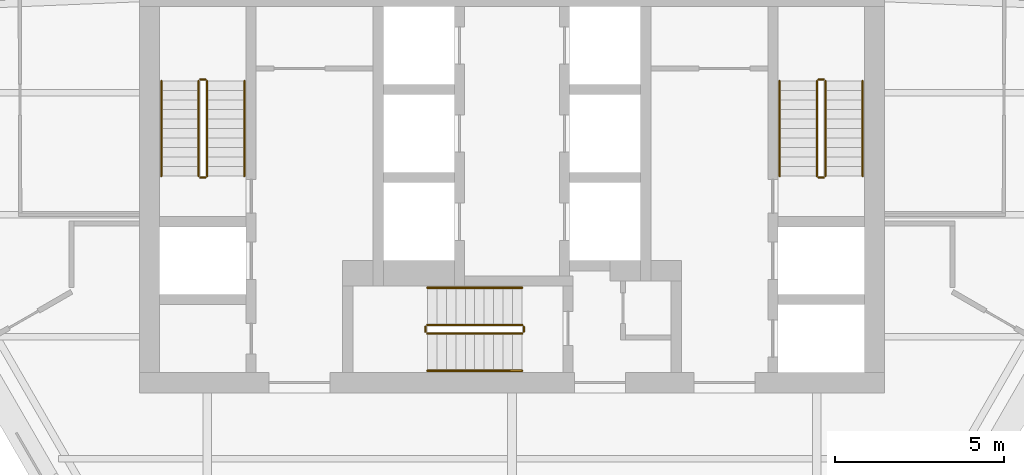
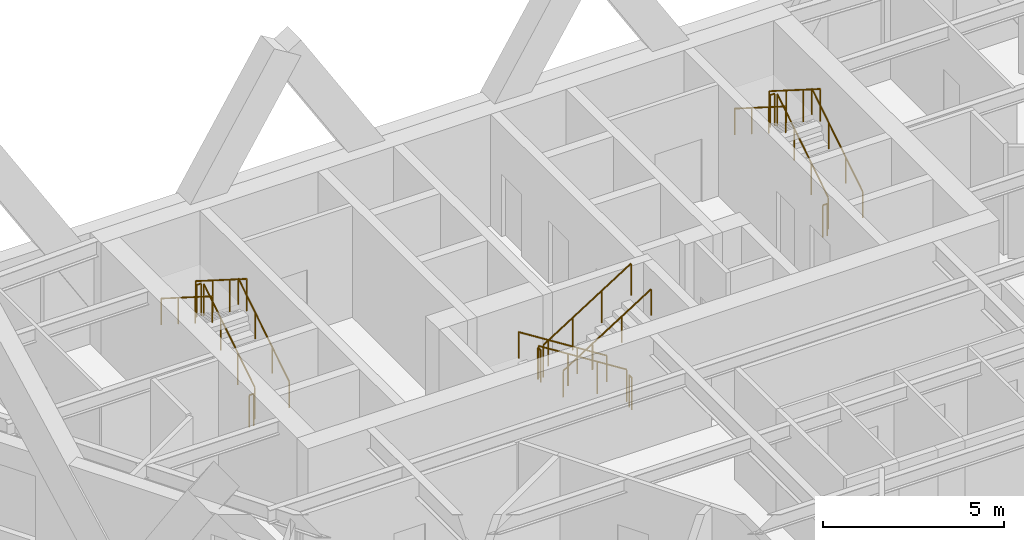
# One storey, part 6 of 6: 18 railings.
"""IFC4 building model written with IfcOpenShell, lengths in metres."""

from ifc_helpers import new_model, si_unit, direction, frame, origin, origin_2d, place, context, subcontext, project, spatial, circle, extrude, material, type_object, element, save


model = new_model("IFC4")

# Units and contexts
model_context = context("Model", 3, precision=1e-05, world=origin(), true_north=direction((0.0, 1.0)))
body_context = subcontext(model_context, "Body", "Model", "MODEL_VIEW")
ifc_project = project(units=[si_unit("LENGTHUNIT", "METRE"), si_unit("AREAUNIT", "SQUARE_METRE"), si_unit("VOLUMEUNIT", "CUBIC_METRE"), si_unit("PLANEANGLEUNIT", "RADIAN"), si_unit("MASSUNIT", "GRAM", prefix="KILO")], contexts=[model_context])

# Site, building, storey
site_placement = place(None, origin())
site = spatial("IfcSite", under=ifc_project, at=site_placement, CompositionType="ELEMENT")
building_placement = place(site_placement, origin())
building = spatial("IfcBuilding", under=site, at=building_placement, Name="Aloe Facet Convention Tower", CompositionType="ELEMENT")
storey_placement = place(building_placement, frame((0.0, 0.0, 180.199951171875)))
storey = spatial("IfcBuildingStorey", under=building, at=storey_placement, Name="L45", CompositionType="ELEMENT", Elevation=180.199951171875)

# Railings
ifc_material_1 = material(Name="Steel S355 balustrade", Category="steel")
railing_type_1 = type_object("IfcRailingType", Name="CR-RL-GUARD", PredefinedType="GUARDRAIL", material=ifc_material_1)
railing_1_placement = place(storey_placement, frame((71.0, 128.949951171875, 0.17724609375)))
element("IfcRailing", 1, at=railing_1_placement, inside=storey, type_object=railing_type_1, Name="L45 ST1 stair guard 1", PredefinedType="GUARDRAIL", context=body_context, shape_type="SweptSolid", body=[
    extrude(circle(Radius=0.02392578125, at=origin_2d()), frame((0.0, 0.0, 1.076171875), z_axis=(0.0, 0.844908973607, 0.534910110503), x_axis=(-1.0, 0.0, 0.0)), (0.0, 0.0, 1.0), 3.31396484375),
    extrude(circle(Radius=0.02099609375, at=origin_2d()), origin(), (0.0, 0.0, 1.0), 1.052001953125),
    extrude(circle(Radius=0.02099609375, at=origin_2d()), frame((0.0, 0.933349609375, 0.5908203125)), (0.0, 0.0, 1.0), 1.052001953125),
    extrude(circle(Radius=0.02099609375, at=origin_2d()), frame((0.0, 1.86669921875, 1.181884765625)), (0.0, 0.0, 1.0), 1.052001953125),
    extrude(circle(Radius=0.02099609375, at=origin_2d()), frame((0.0, 2.800048828125, 1.772705078125)), (0.0, 0.0, 1.0), 1.052001953125),
])
railing_2_placement = place(storey_placement, frame((70.949951171875, 131.800048828125, 1.949951171875)))
element("IfcRailing", 2, at=railing_2_placement, inside=storey, type_object=railing_type_1, Name="L45 ST1 stair guard 2", PredefinedType="GUARDRAIL", context=body_context, shape_type="SweptSolid", body=[
    extrude(circle(Radius=0.02392578125, at=origin_2d()), frame((0.0, 0.0, 1.076171875), z_axis=(-1.0, 0.0, 0.0), x_axis=(0.0, -1.0, 0.0)), (0.0, 0.0, 1.0), 0.14990234375),
    extrude(circle(Radius=0.02099609375, at=origin_2d()), origin(), (0.0, 0.0, 1.0), 1.052001953125),
    extrude(circle(Radius=0.02099609375, at=origin_2d()), frame((-0.14990234375, 0.0, 0.0)), (0.0, 0.0, 1.0), 1.052001953125),
])
railing_3_placement = place(storey_placement, frame((70.75, 131.75, 2.12744140625)))
element("IfcRailing", 3, at=railing_3_placement, inside=storey, type_object=railing_type_1, Name="L45 ST1 stair guard 3", PredefinedType="GUARDRAIL", context=body_context, shape_type="SweptSolid", body=[
    extrude(circle(Radius=0.02392578125, at=origin_2d()), frame((0.0, 0.0, 1.076171875), z_axis=(0.0, -0.844908973607, 0.534910110503), x_axis=(1.0, 0.0, 0.0)), (0.0, 0.0, 1.0), 3.31396484375),
    extrude(circle(Radius=0.02099609375, at=origin_2d()), origin(), (0.0, 0.0, 1.0), 1.052001953125),
    extrude(circle(Radius=0.02099609375, at=origin_2d()), frame((0.0, -0.933349609375, 0.5908203125)), (0.0, 0.0, 1.0), 1.052001953125),
    extrude(circle(Radius=0.02099609375, at=origin_2d()), frame((0.0, -1.86669921875, 1.181884765625)), (0.0, 0.0, 1.0), 1.052001953125),
    extrude(circle(Radius=0.02099609375, at=origin_2d()), frame((0.0, -2.800048828125, 1.772705078125)), (0.0, 0.0, 1.0), 1.052001953125),
])
railing_4_placement = place(storey_placement, frame((70.949951171875, 128.89990234375, 0.0)))
element("IfcRailing", 4, at=railing_4_placement, inside=storey, type_object=railing_type_1, Name="L45 ST1 stair guard 4", PredefinedType="GUARDRAIL", context=body_context, shape_type="SweptSolid", body=[
    extrude(circle(Radius=0.02392578125, at=origin_2d()), frame((0.0, 0.0, 1.076171875), z_axis=(-1.0, 0.0, 0.0), x_axis=(0.0, -1.0, 0.0)), (0.0, 0.0, 1.0), 0.14990234375),
    extrude(circle(Radius=0.02099609375, at=origin_2d()), origin(), (0.0, 0.0, 1.0), 1.052001953125),
    extrude(circle(Radius=0.02099609375, at=origin_2d()), frame((-0.14990234375, 0.0, 0.0)), (0.0, 0.0, 1.0), 1.052001953125),
])
railing_5_placement = place(storey_placement, frame((89.25, 128.949951171875, 0.17724609375)))
element("IfcRailing", 5, at=railing_5_placement, inside=storey, type_object=railing_type_1, Name="L45 ST2 stair guard 1", PredefinedType="GUARDRAIL", context=body_context, shape_type="SweptSolid", body=[
    extrude(circle(Radius=0.02392578125, at=origin_2d()), frame((0.0, 0.0, 1.076171875), z_axis=(0.0, 0.844908973607, 0.534910110503), x_axis=(-1.0, 0.0, 0.0)), (0.0, 0.0, 1.0), 3.31396484375),
    extrude(circle(Radius=0.02099609375, at=origin_2d()), origin(), (0.0, 0.0, 1.0), 1.052001953125),
    extrude(circle(Radius=0.02099609375, at=origin_2d()), frame((0.0, 0.933349609375, 0.5908203125)), (0.0, 0.0, 1.0), 1.052001953125),
    extrude(circle(Radius=0.02099609375, at=origin_2d()), frame((0.0, 1.86669921875, 1.181884765625)), (0.0, 0.0, 1.0), 1.052001953125),
    extrude(circle(Radius=0.02099609375, at=origin_2d()), frame((0.0, 2.800048828125, 1.772705078125)), (0.0, 0.0, 1.0), 1.052001953125),
])
railing_6_placement = place(storey_placement, frame((89.199951171875, 131.800048828125, 1.949951171875)))
element("IfcRailing", 6, at=railing_6_placement, inside=storey, type_object=railing_type_1, Name="L45 ST2 stair guard 2", PredefinedType="GUARDRAIL", context=body_context, shape_type="SweptSolid", body=[
    extrude(circle(Radius=0.02392578125, at=origin_2d()), frame((0.0, 0.0, 1.076171875), z_axis=(-1.0, 0.0, 0.0), x_axis=(0.0, -1.0, 0.0)), (0.0, 0.0, 1.0), 0.14990234375),
    extrude(circle(Radius=0.02099609375, at=origin_2d()), origin(), (0.0, 0.0, 1.0), 1.052001953125),
    extrude(circle(Radius=0.02099609375, at=origin_2d()), frame((-0.14990234375, 0.0, 0.0)), (0.0, 0.0, 1.0), 1.052001953125),
])
railing_7_placement = place(storey_placement, frame((89.0, 131.75, 2.12744140625)))
element("IfcRailing", 7, at=railing_7_placement, inside=storey, type_object=railing_type_1, Name="L45 ST2 stair guard 3", PredefinedType="GUARDRAIL", context=body_context, shape_type="SweptSolid", body=[
    extrude(circle(Radius=0.02392578125, at=origin_2d()), frame((0.0, 0.0, 1.076171875), z_axis=(0.0, -0.844908973607, 0.534910110503), x_axis=(1.0, 0.0, 0.0)), (0.0, 0.0, 1.0), 3.31396484375),
    extrude(circle(Radius=0.02099609375, at=origin_2d()), origin(), (0.0, 0.0, 1.0), 1.052001953125),
    extrude(circle(Radius=0.02099609375, at=origin_2d()), frame((0.0, -0.933349609375, 0.5908203125)), (0.0, 0.0, 1.0), 1.052001953125),
    extrude(circle(Radius=0.02099609375, at=origin_2d()), frame((0.0, -1.86669921875, 1.181884765625)), (0.0, 0.0, 1.0), 1.052001953125),
    extrude(circle(Radius=0.02099609375, at=origin_2d()), frame((0.0, -2.800048828125, 1.772705078125)), (0.0, 0.0, 1.0), 1.052001953125),
])
railing_8_placement = place(storey_placement, frame((89.199951171875, 128.89990234375, 0.0)))
element("IfcRailing", 8, at=railing_8_placement, inside=storey, type_object=railing_type_1, Name="L45 ST2 stair guard 4", PredefinedType="GUARDRAIL", context=body_context, shape_type="SweptSolid", body=[
    extrude(circle(Radius=0.02392578125, at=origin_2d()), frame((0.0, 0.0, 1.076171875), z_axis=(-1.0, 0.0, 0.0), x_axis=(0.0, -1.0, 0.0)), (0.0, 0.0, 1.0), 0.14990234375),
    extrude(circle(Radius=0.02099609375, at=origin_2d()), origin(), (0.0, 0.0, 1.0), 1.052001953125),
    extrude(circle(Radius=0.02099609375, at=origin_2d()), frame((-0.14990234375, 0.0, 0.0)), (0.0, 0.0, 1.0), 1.052001953125),
])
railing_9_placement = place(storey_placement, frame((80.300048828125, 124.550048828125, 0.17724609375)))
element("IfcRailing", 9, at=railing_9_placement, inside=storey, type_object=railing_type_1, Name="L45 ST3 stair guard 1", PredefinedType="GUARDRAIL", context=body_context, shape_type="SweptSolid", body=[
    extrude(circle(Radius=0.02392578125, at=origin_2d()), frame((0.0, 0.0, 1.076171875), z_axis=(-0.844908973607, 0.0, 0.534910110503), x_axis=(0.0, -1.0, 0.0)), (0.0, 0.0, 1.0), 3.31396484375),
    extrude(circle(Radius=0.02099609375, at=origin_2d()), origin(), (0.0, 0.0, 1.0), 1.052001953125),
    extrude(circle(Radius=0.02099609375, at=origin_2d()), frame((-0.933349609375, 0.0, 0.5908203125)), (0.0, 0.0, 1.0), 1.052001953125),
    extrude(circle(Radius=0.02099609375, at=origin_2d()), frame((-1.86669921875, 0.0, 1.181884765625)), (0.0, 0.0, 1.0), 1.052001953125),
    extrude(circle(Radius=0.02099609375, at=origin_2d()), frame((-2.800048828125, 0.0, 1.772705078125)), (0.0, 0.0, 1.0), 1.052001953125),
])
railing_10_placement = place(storey_placement, frame((77.449951171875, 124.5, 1.949951171875)))
element("IfcRailing", 10, at=railing_10_placement, inside=storey, type_object=railing_type_1, Name="L45 ST3 stair guard 2", PredefinedType="GUARDRAIL", context=body_context, shape_type="SweptSolid", body=[
    extrude(circle(Radius=0.02392578125, at=origin_2d()), frame((0.0, 0.0, 1.076171875), z_axis=(0.0, -1.0, 0.0), x_axis=(1.0, 0.0, 0.0)), (0.0, 0.0, 1.0), 0.14990234375),
    extrude(circle(Radius=0.02099609375, at=origin_2d()), origin(), (0.0, 0.0, 1.0), 1.052001953125),
    extrude(circle(Radius=0.02099609375, at=origin_2d()), frame((0.0, -0.14990234375, 0.0)), (0.0, 0.0, 1.0), 1.052001953125),
])
railing_11_placement = place(storey_placement, frame((77.5, 124.300048828125, 2.12744140625)))
element("IfcRailing", 11, at=railing_11_placement, inside=storey, type_object=railing_type_1, Name="L45 ST3 stair guard 3", PredefinedType="GUARDRAIL", context=body_context, shape_type="SweptSolid", body=[
    extrude(circle(Radius=0.02392578125, at=origin_2d()), frame((0.0, 0.0, 1.076171875), z_axis=(0.844908973607, 0.0, 0.534910110503), x_axis=(0.0, 1.0, 0.0)), (0.0, 0.0, 1.0), 3.31396484375),
    extrude(circle(Radius=0.02099609375, at=origin_2d()), origin(), (0.0, 0.0, 1.0), 1.052001953125),
    extrude(circle(Radius=0.02099609375, at=origin_2d()), frame((0.933349609375, 0.0, 0.5908203125)), (0.0, 0.0, 1.0), 1.052001953125),
    extrude(circle(Radius=0.02099609375, at=origin_2d()), frame((1.86669921875, 0.0, 1.181884765625)), (0.0, 0.0, 1.0), 1.052001953125),
    extrude(circle(Radius=0.02099609375, at=origin_2d()), frame((2.800048828125, 0.0, 1.772705078125)), (0.0, 0.0, 1.0), 1.052001953125),
])
railing_12_placement = place(storey_placement, frame((80.35009765625, 124.5, 0.0)))
element("IfcRailing", 12, at=railing_12_placement, inside=storey, type_object=railing_type_1, Name="L45 ST3 stair guard 4", PredefinedType="GUARDRAIL", context=body_context, shape_type="SweptSolid", body=[
    extrude(circle(Radius=0.02392578125, at=origin_2d()), frame((0.0, 0.0, 1.076171875), z_axis=(0.0, -1.0, 0.0), x_axis=(1.0, 0.0, 0.0)), (0.0, 0.0, 1.0), 0.14990234375),
    extrude(circle(Radius=0.02099609375, at=origin_2d()), origin(), (0.0, 0.0, 1.0), 1.052001953125),
    extrude(circle(Radius=0.02099609375, at=origin_2d()), frame((0.0, -0.14990234375, 0.0)), (0.0, 0.0, 1.0), 1.052001953125),
])
ifc_material_2 = material(Name="Steel S355 handrail", Category="steel")
railing_type_2 = type_object("IfcRailingType", Name="CR-RL-HAND", PredefinedType="HANDRAIL", material=ifc_material_2)
railing_13_placement = place(storey_placement, frame((72.10009765625, 128.949951171875, 0.17724609375)))
element("IfcRailing", 13, at=railing_13_placement, inside=storey, type_object=railing_type_2, Name="L45 ST1 stair handrail 1", PredefinedType="HANDRAIL", context=body_context, shape_type="SweptSolid", body=[
    extrude(circle(Radius=0.02392578125, at=origin_2d()), frame((0.0, 0.0, 0.8759765625), z_axis=(0.0, 0.844908973607, 0.534910110503), x_axis=(-1.0, 0.0, 0.0)), (0.0, 0.0, 1.0), 3.31396484375),
    extrude(circle(Radius=0.02099609375, at=origin_2d()), origin(), (0.0, 0.0, 1.0), 0.851806640625),
    extrude(circle(Radius=0.02099609375, at=origin_2d()), frame((0.0, 0.933349609375, 0.5908203125)), (0.0, 0.0, 1.0), 0.851806640625),
    extrude(circle(Radius=0.02099609375, at=origin_2d()), frame((0.0, 1.86669921875, 1.181884765625)), (0.0, 0.0, 1.0), 0.851806640625),
    extrude(circle(Radius=0.02099609375, at=origin_2d()), frame((0.0, 2.800048828125, 1.772705078125)), (0.0, 0.0, 1.0), 0.851806640625),
])
railing_14_placement = place(storey_placement, frame((69.64990234375, 131.75, 2.12744140625)))
element("IfcRailing", 14, at=railing_14_placement, inside=storey, type_object=railing_type_2, Name="L45 ST1 stair handrail 2", PredefinedType="HANDRAIL", context=body_context, shape_type="SweptSolid", body=[
    extrude(circle(Radius=0.02392578125, at=origin_2d()), frame((0.0, 0.0, 0.8759765625), z_axis=(0.0, -0.844908973607, 0.534910110503), x_axis=(1.0, 0.0, 0.0)), (0.0, 0.0, 1.0), 3.31396484375),
    extrude(circle(Radius=0.02099609375, at=origin_2d()), origin(), (0.0, 0.0, 1.0), 0.851806640625),
    extrude(circle(Radius=0.02099609375, at=origin_2d()), frame((0.0, -0.933349609375, 0.5908203125)), (0.0, 0.0, 1.0), 0.851806640625),
    extrude(circle(Radius=0.02099609375, at=origin_2d()), frame((0.0, -1.86669921875, 1.181884765625)), (0.0, 0.0, 1.0), 0.851806640625),
    extrude(circle(Radius=0.02099609375, at=origin_2d()), frame((0.0, -2.800048828125, 1.772705078125)), (0.0, 0.0, 1.0), 0.851806640625),
])
railing_15_placement = place(storey_placement, frame((90.35009765625, 128.949951171875, 0.17724609375)))
element("IfcRailing", 15, at=railing_15_placement, inside=storey, type_object=railing_type_2, Name="L45 ST2 stair handrail 1", PredefinedType="HANDRAIL", context=body_context, shape_type="SweptSolid", body=[
    extrude(circle(Radius=0.02392578125, at=origin_2d()), frame((0.0, 0.0, 0.8759765625), z_axis=(0.0, 0.844908973607, 0.534910110503), x_axis=(-1.0, 0.0, 0.0)), (0.0, 0.0, 1.0), 3.31396484375),
    extrude(circle(Radius=0.02099609375, at=origin_2d()), origin(), (0.0, 0.0, 1.0), 0.851806640625),
    extrude(circle(Radius=0.02099609375, at=origin_2d()), frame((0.0, 0.933349609375, 0.5908203125)), (0.0, 0.0, 1.0), 0.851806640625),
    extrude(circle(Radius=0.02099609375, at=origin_2d()), frame((0.0, 1.86669921875, 1.181884765625)), (0.0, 0.0, 1.0), 0.851806640625),
    extrude(circle(Radius=0.02099609375, at=origin_2d()), frame((0.0, 2.800048828125, 1.772705078125)), (0.0, 0.0, 1.0), 0.851806640625),
])
railing_16_placement = place(storey_placement, frame((87.89990234375, 131.75, 2.12744140625)))
element("IfcRailing", 16, at=railing_16_placement, inside=storey, type_object=railing_type_2, Name="L45 ST2 stair handrail 2", PredefinedType="HANDRAIL", context=body_context, shape_type="SweptSolid", body=[
    extrude(circle(Radius=0.02392578125, at=origin_2d()), frame((0.0, 0.0, 0.8759765625), z_axis=(0.0, -0.844908973607, 0.534910110503), x_axis=(1.0, 0.0, 0.0)), (0.0, 0.0, 1.0), 3.31396484375),
    extrude(circle(Radius=0.02099609375, at=origin_2d()), origin(), (0.0, 0.0, 1.0), 0.851806640625),
    extrude(circle(Radius=0.02099609375, at=origin_2d()), frame((0.0, -0.933349609375, 0.5908203125)), (0.0, 0.0, 1.0), 0.851806640625),
    extrude(circle(Radius=0.02099609375, at=origin_2d()), frame((0.0, -1.86669921875, 1.181884765625)), (0.0, 0.0, 1.0), 0.851806640625),
    extrude(circle(Radius=0.02099609375, at=origin_2d()), frame((0.0, -2.800048828125, 1.772705078125)), (0.0, 0.0, 1.0), 0.851806640625),
])
railing_17_placement = place(storey_placement, frame((80.300048828125, 125.64990234375, 0.17724609375)))
element("IfcRailing", 17, at=railing_17_placement, inside=storey, type_object=railing_type_2, Name="L45 ST3 stair handrail 1", PredefinedType="HANDRAIL", context=body_context, shape_type="SweptSolid", body=[
    extrude(circle(Radius=0.02392578125, at=origin_2d()), frame((0.0, 0.0, 0.8759765625), z_axis=(-0.844908973607, 0.0, 0.534910110503), x_axis=(0.0, -1.0, 0.0)), (0.0, 0.0, 1.0), 3.31396484375),
    extrude(circle(Radius=0.02099609375, at=origin_2d()), origin(), (0.0, 0.0, 1.0), 0.851806640625),
    extrude(circle(Radius=0.02099609375, at=origin_2d()), frame((-0.933349609375, 0.0, 0.5908203125)), (0.0, 0.0, 1.0), 0.851806640625),
    extrude(circle(Radius=0.02099609375, at=origin_2d()), frame((-1.86669921875, 0.0, 1.181884765625)), (0.0, 0.0, 1.0), 0.851806640625),
    extrude(circle(Radius=0.02099609375, at=origin_2d()), frame((-2.800048828125, 0.0, 1.772705078125)), (0.0, 0.0, 1.0), 0.851806640625),
])
railing_18_placement = place(storey_placement, frame((77.5, 123.199951171875, 2.12744140625)))
element("IfcRailing", 18, at=railing_18_placement, inside=storey, type_object=railing_type_2, Name="L45 ST3 stair handrail 2", PredefinedType="HANDRAIL", context=body_context, shape_type="SweptSolid", body=[
    extrude(circle(Radius=0.02392578125, at=origin_2d()), frame((0.0, 0.0, 0.8759765625), z_axis=(0.844908973607, 0.0, 0.534910110503), x_axis=(0.0, 1.0, 0.0)), (0.0, 0.0, 1.0), 3.31396484375),
    extrude(circle(Radius=0.02099609375, at=origin_2d()), origin(), (0.0, 0.0, 1.0), 0.851806640625),
    extrude(circle(Radius=0.02099609375, at=origin_2d()), frame((0.933349609375, 0.0, 0.5908203125)), (0.0, 0.0, 1.0), 0.851806640625),
    extrude(circle(Radius=0.02099609375, at=origin_2d()), frame((1.86669921875, 0.0, 1.181884765625)), (0.0, 0.0, 1.0), 0.851806640625),
    extrude(circle(Radius=0.02099609375, at=origin_2d()), frame((2.800048828125, 0.0, 1.772705078125)), (0.0, 0.0, 1.0), 0.851806640625),
])

save(model, "model.ifc")
